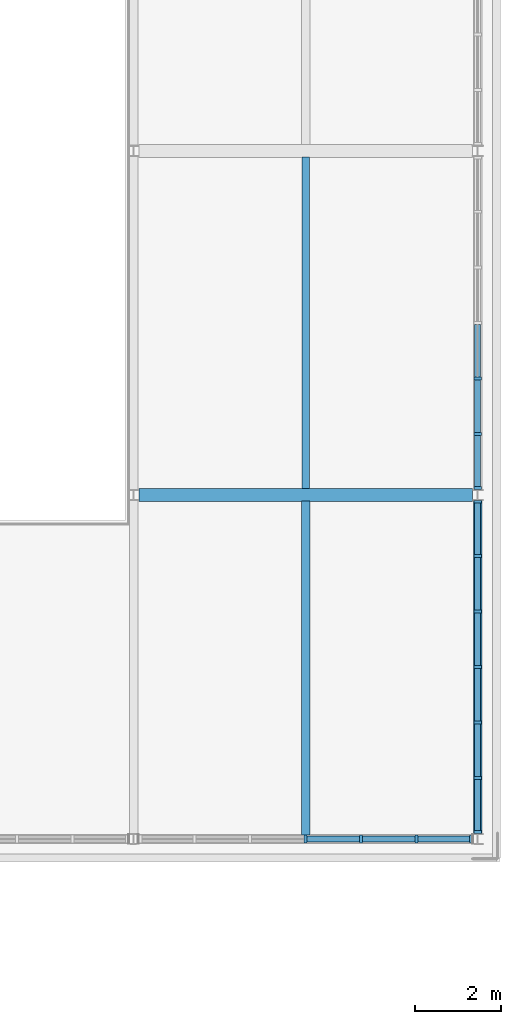
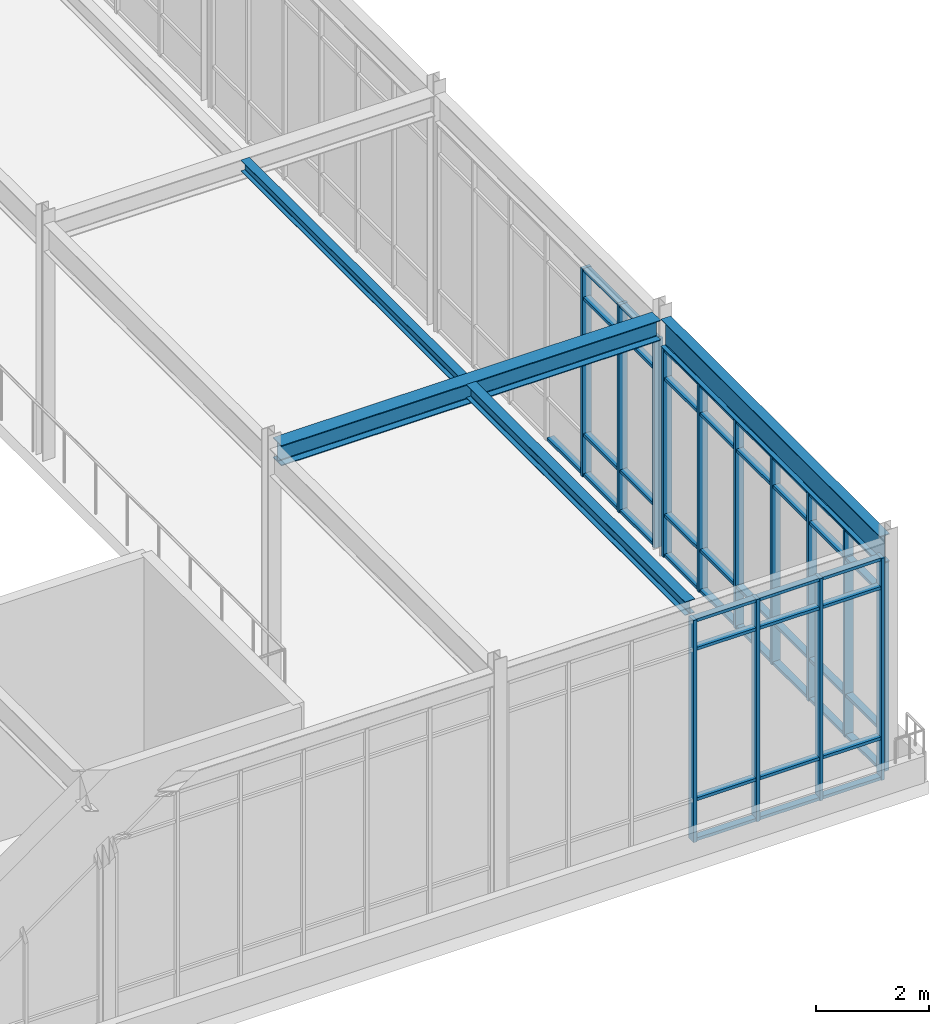
# One storey, part 75 of 184: 59 members, 4 beams, 3 elements without a shape of their own.
"""IFC4 building model written with IfcOpenShell, lengths in metres."""

from ifc_helpers import new_model, si_unit, direction, frame, origin, origin_2d, place, context, subcontext, project, spatial, rectangle, i_section, extrude, material, material_profile, profile_set, type_object, element, aggregate, save


model = new_model("IFC4")

# Units and contexts
model_context = context("Model", 3, precision=1e-05, world=origin(), true_north=direction((0.0, 1.0)))
body_context = subcontext(model_context, "Body", "Model", "MODEL_VIEW")
ifc_project = project(units=[si_unit("LENGTHUNIT", "METRE"), si_unit("AREAUNIT", "SQUARE_METRE"), si_unit("VOLUMEUNIT", "CUBIC_METRE"), si_unit("PLANEANGLEUNIT", "RADIAN"), si_unit("MASSUNIT", "GRAM", prefix="KILO")], contexts=[model_context])

# Site, building, storey
site_placement = place(None, origin())
site = spatial("IfcSite", under=ifc_project, at=site_placement, CompositionType="ELEMENT")
building_placement = place(site_placement, origin())
building = spatial("IfcBuilding", under=site, at=building_placement, Name="Zhaolan Boulevard Law Courts", CompositionType="ELEMENT")
storey_placement = place(building_placement, frame((0.0, 0.0, 5.39990234375)))
storey = spatial("IfcBuildingStorey", under=building, at=storey_placement, Name="L01", CompositionType="ELEMENT", Elevation=5.39990234375)

# Curtain wall, members
ifc_material_1 = material(Name="Thermally broken aluminium and low-E glazing", Category="aluminium")
curtain_wall_type_1 = type_object("IfcCurtainWallType", Name="CURTAIN WALL M12", PredefinedType="USERDEFINED", material=ifc_material_1)
curtain_wall_1_placement = place(storey_placement, origin())
curtain_wall_1 = element("IfcCurtainWall", 1, at=curtain_wall_1_placement, inside=storey, type_object=curtain_wall_type_1, Name="Curtain Wall CW-L01-060", ObjectType="CURTAIN WALL", PredefinedType="USERDEFINED")
ifc_material_2 = material(Name="Fluorocarbon-coated aluminium 6063-T6", Category="aluminium")
ifc_material_profile_1 = material_profile(ifc_material_2, rectangle(XDim=0.179931640625, YDim=0.06494140625, at=origin_2d()), Name="AL65x180")
ifc_profile_set_1 = profile_set([ifc_material_profile_1], Name="Fluorocarbon-coated aluminium 6063-T6")
member_type_1 = type_object("IfcMemberType", Name="CWMULLION 65X180", PredefinedType="MULLION", material=ifc_profile_set_1)
member_1_placement = place(storey_placement, frame((160.0, 6.0, 0.0), z_axis=(0.0, 0.0, 1.0), x_axis=(0.0, 1.0, 0.0)))
member_1 = element("IfcMember", 2, at=member_1_placement, type_object=member_type_1, Name="CW-L01-060 mullion 4", PredefinedType="MULLION", context=body_context, shape_type="SweptSolid", body=[
    extrude(rectangle(XDim=0.179931640625, YDim=0.06494140625, at=origin_2d()), origin(), (0.0, 0.0, 1.0), 4.802978515625),
])
member_2_placement = place(storey_placement, frame((161.291015625, 6.0, 0.0), z_axis=(0.0, 0.0, 1.0), x_axis=(0.0, 1.0, 0.0)))
member_2 = element("IfcMember", 3, at=member_2_placement, type_object=member_type_1, Name="CW-L01-060 mullion 5", PredefinedType="MULLION", context=body_context, shape_type="SweptSolid", body=[
    extrude(rectangle(XDim=0.179931640625, YDim=0.06494140625, at=origin_2d()), origin(), (0.0, 0.0, 1.0), 4.802978515625),
])
member_3_placement = place(storey_placement, frame((162.58203125, 6.0, 0.0), z_axis=(0.0, 0.0, 1.0), x_axis=(0.0, 1.0, 0.0)))
member_3 = element("IfcMember", 4, at=member_3_placement, type_object=member_type_1, Name="CW-L01-060 mullion 6", PredefinedType="MULLION", context=body_context, shape_type="SweptSolid", body=[
    extrude(rectangle(XDim=0.179931640625, YDim=0.06494140625, at=origin_2d()), origin(), (0.0, 0.0, 1.0), 4.802978515625),
])
member_4_placement = place(storey_placement, frame((163.840576171875, 6.0, 0.0), z_axis=(0.0, 0.0, 1.0), x_axis=(0.0, 1.0, 0.0)))
member_4 = element("IfcMember", 5, at=member_4_placement, type_object=member_type_1, Name="CW-L01-060 mullion 7", PredefinedType="MULLION", context=body_context, shape_type="SweptSolid", body=[
    extrude(rectangle(XDim=0.179931640625, YDim=0.06494140625, at=origin_2d()), origin(), (0.0, 0.0, 1.0), 4.802978515625),
])

ifc_material_3 = material(Name="Thermally broken aluminium and low-E glazing", Category="aluminium")
curtain_wall_type_2 = type_object("IfcCurtainWallType", Name="CURTAIN WALL M13", PredefinedType="USERDEFINED", material=ifc_material_3)
curtain_wall_2_placement = place(storey_placement, origin())
curtain_wall_2 = element("IfcCurtainWall", 6, at=curtain_wall_2_placement, inside=storey, type_object=curtain_wall_type_2, Name="Curtain Wall CW-L01-061", ObjectType="CURTAIN WALL", PredefinedType="USERDEFINED")
member_5_placement = place(storey_placement, frame((164.0, 6.159423828125, 0.0), z_axis=(0.0, 0.0, 1.0), x_axis=(-1.0, 0.0, 0.0)))
member_5 = element("IfcMember", 7, at=member_5_placement, type_object=member_type_1, Name="CW-L01-061 mullion 1", PredefinedType="MULLION", context=body_context, shape_type="SweptSolid", body=[
    extrude(rectangle(XDim=0.179931640625, YDim=0.06494140625, at=origin_2d()), origin(), (0.0, 0.0, 1.0), 4.503173828125),
])
member_6_placement = place(storey_placement, frame((164.0, 7.41796875, 0.0), z_axis=(0.0, 0.0, 1.0), x_axis=(-1.0, 0.0, 0.0)))
member_6 = element("IfcMember", 8, at=member_6_placement, type_object=member_type_1, Name="CW-L01-061 mullion 2", PredefinedType="MULLION", context=body_context, shape_type="SweptSolid", body=[
    extrude(rectangle(XDim=0.179931640625, YDim=0.06494140625, at=origin_2d()), origin(), (0.0, 0.0, 1.0), 4.503173828125),
])
member_7_placement = place(storey_placement, frame((164.0, 8.708984375, 0.0), z_axis=(0.0, 0.0, 1.0), x_axis=(-1.0, 0.0, 0.0)))
member_7 = element("IfcMember", 9, at=member_7_placement, type_object=member_type_1, Name="CW-L01-061 mullion 3", PredefinedType="MULLION", context=body_context, shape_type="SweptSolid", body=[
    extrude(rectangle(XDim=0.179931640625, YDim=0.06494140625, at=origin_2d()), origin(), (0.0, 0.0, 1.0), 4.503173828125),
])
member_8_placement = place(storey_placement, frame((164.0, 10.0, 0.0), z_axis=(0.0, 0.0, 1.0), x_axis=(-1.0, 0.0, 0.0)))
member_8 = element("IfcMember", 10, at=member_8_placement, type_object=member_type_1, Name="CW-L01-061 mullion 4", PredefinedType="MULLION", context=body_context, shape_type="SweptSolid", body=[
    extrude(rectangle(XDim=0.179931640625, YDim=0.06494140625, at=origin_2d()), origin(), (0.0, 0.0, 1.0), 4.503173828125),
])
member_9_placement = place(storey_placement, frame((164.0, 11.291015625, 0.0), z_axis=(0.0, 0.0, 1.0), x_axis=(-1.0, 0.0, 0.0)))
member_9 = element("IfcMember", 11, at=member_9_placement, type_object=member_type_1, Name="CW-L01-061 mullion 5", PredefinedType="MULLION", context=body_context, shape_type="SweptSolid", body=[
    extrude(rectangle(XDim=0.179931640625, YDim=0.06494140625, at=origin_2d()), origin(), (0.0, 0.0, 1.0), 4.503173828125),
])
member_10_placement = place(storey_placement, frame((164.0, 12.58203125, 0.0), z_axis=(0.0, 0.0, 1.0), x_axis=(-1.0, 0.0, 0.0)))
member_10 = element("IfcMember", 12, at=member_10_placement, type_object=member_type_1, Name="CW-L01-061 mullion 6", PredefinedType="MULLION", context=body_context, shape_type="SweptSolid", body=[
    extrude(rectangle(XDim=0.179931640625, YDim=0.06494140625, at=origin_2d()), origin(), (0.0, 0.0, 1.0), 4.503173828125),
])
member_11_placement = place(storey_placement, frame((164.0, 13.840576171875, 0.0), z_axis=(0.0, 0.0, 1.0), x_axis=(-1.0, 0.0, 0.0)))
member_11 = element("IfcMember", 13, at=member_11_placement, type_object=member_type_1, Name="CW-L01-061 mullion 7", PredefinedType="MULLION", context=body_context, shape_type="SweptSolid", body=[
    extrude(rectangle(XDim=0.179931640625, YDim=0.06494140625, at=origin_2d()), origin(), (0.0, 0.0, 1.0), 4.503173828125),
])

ifc_material_4 = material(Name="Thermally broken aluminium and low-E glazing", Category="aluminium")
curtain_wall_type_3 = type_object("IfcCurtainWallType", Name="CURTAIN WALL M14", PredefinedType="USERDEFINED", material=ifc_material_4)
curtain_wall_3_placement = place(storey_placement, origin())
curtain_wall_3 = element("IfcCurtainWall", 14, at=curtain_wall_3_placement, inside=storey, type_object=curtain_wall_type_3, Name="Curtain Wall CW-L01-062", ObjectType="CURTAIN WALL", PredefinedType="USERDEFINED")
member_12_placement = place(storey_placement, frame((164.0, 14.159423828125, 0.0), z_axis=(0.0, 0.0, 1.0), x_axis=(-1.0, 0.0, 0.0)))
member_12 = element("IfcMember", 15, at=member_12_placement, type_object=member_type_1, Name="CW-L01-062 mullion 1", PredefinedType="MULLION", context=body_context, shape_type="SweptSolid", body=[
    extrude(rectangle(XDim=0.179931640625, YDim=0.06494140625, at=origin_2d()), origin(), (0.0, 0.0, 1.0), 4.503173828125),
])
member_13_placement = place(storey_placement, frame((164.0, 15.41796875, 0.0), z_axis=(0.0, 0.0, 1.0), x_axis=(-1.0, 0.0, 0.0)))
member_13 = element("IfcMember", 16, at=member_13_placement, type_object=member_type_1, Name="CW-L01-062 mullion 2", PredefinedType="MULLION", context=body_context, shape_type="SweptSolid", body=[
    extrude(rectangle(XDim=0.179931640625, YDim=0.06494140625, at=origin_2d()), origin(), (0.0, 0.0, 1.0), 4.503173828125),
])
member_14_placement = place(storey_placement, frame((164.0, 16.708984375, 0.0), z_axis=(0.0, 0.0, 1.0), x_axis=(-1.0, 0.0, 0.0)))
member_14 = element("IfcMember", 17, at=member_14_placement, type_object=member_type_1, Name="CW-L01-062 mullion 3", PredefinedType="MULLION", context=body_context, shape_type="SweptSolid", body=[
    extrude(rectangle(XDim=0.179931640625, YDim=0.06494140625, at=origin_2d()), origin(), (0.0, 0.0, 1.0), 4.503173828125),
])

# Member
ifc_material_5 = material(Name="Fluorocarbon-coated aluminium 6063-T6", Category="aluminium")
ifc_material_profile_2 = material_profile(ifc_material_5, rectangle(XDim=0.139892578125, YDim=0.06494140625, at=origin_2d()), Name="AL65x140")
ifc_profile_set_2 = profile_set([ifc_material_profile_2], Name="Fluorocarbon-coated aluminium 6063-T6")
member_type_2 = type_object("IfcMemberType", Name="CWTRANSOM 65X140", PredefinedType="USERDEFINED", material=ifc_profile_set_2)
member_15_placement = place(storey_placement, frame((160.032470703125, 6.0, 0.03271484375), z_axis=(1.0, 0.0, 0.0), x_axis=(0.0, 1.0, 0.0)))
member_15 = element("IfcMember", 18, at=member_15_placement, type_object=member_type_2, Name="CW-L01-060 transom 4.1", ObjectType="TRANSOM", PredefinedType="USERDEFINED", context=body_context, shape_type="SweptSolid", body=[
    extrude(rectangle(XDim=0.139892578125, YDim=0.06494140625, at=origin_2d()), origin(), (0.0, 0.0, 1.0), 1.22607421875),
])

member_16_placement = place(storey_placement, frame((160.032470703125, 6.0, 0.900146484375), z_axis=(1.0, 0.0, 0.0), x_axis=(0.0, 1.0, 0.0)))
member_16 = element("IfcMember", 19, at=member_16_placement, type_object=member_type_2, Name="CW-L01-060 transom 4.2", ObjectType="TRANSOM", PredefinedType="USERDEFINED", context=body_context, shape_type="SweptSolid", body=[
    extrude(rectangle(XDim=0.139892578125, YDim=0.06494140625, at=origin_2d()), origin(), (0.0, 0.0, 1.0), 1.22607421875),
])

member_17_placement = place(storey_placement, frame((160.032470703125, 6.0, 4.153076171875), z_axis=(1.0, 0.0, 0.0), x_axis=(0.0, 1.0, 0.0)))
member_17 = element("IfcMember", 20, at=member_17_placement, type_object=member_type_2, Name="CW-L01-060 transom 4.3", ObjectType="TRANSOM", PredefinedType="USERDEFINED", context=body_context, shape_type="SweptSolid", body=[
    extrude(rectangle(XDim=0.139892578125, YDim=0.06494140625, at=origin_2d()), origin(), (0.0, 0.0, 1.0), 1.22607421875),
])

member_18_placement = place(storey_placement, frame((160.032470703125, 6.0, 4.7705078125), z_axis=(1.0, 0.0, 0.0), x_axis=(0.0, 1.0, 0.0)))
member_18 = element("IfcMember", 21, at=member_18_placement, type_object=member_type_2, Name="CW-L01-060 transom 4.4", ObjectType="TRANSOM", PredefinedType="USERDEFINED", context=body_context, shape_type="SweptSolid", body=[
    extrude(rectangle(XDim=0.139892578125, YDim=0.06494140625, at=origin_2d()), origin(), (0.0, 0.0, 1.0), 1.22607421875),
])

member_19_placement = place(storey_placement, frame((161.323486328125, 6.0, 0.03271484375), z_axis=(1.0, 0.0, 0.0), x_axis=(0.0, 1.0, 0.0)))
member_19 = element("IfcMember", 22, at=member_19_placement, type_object=member_type_2, Name="CW-L01-060 transom 5.1", ObjectType="TRANSOM", PredefinedType="USERDEFINED", context=body_context, shape_type="SweptSolid", body=[
    extrude(rectangle(XDim=0.139892578125, YDim=0.06494140625, at=origin_2d()), origin(), (0.0, 0.0, 1.0), 1.22607421875),
])

member_20_placement = place(storey_placement, frame((161.323486328125, 6.0, 0.900146484375), z_axis=(1.0, 0.0, 0.0), x_axis=(0.0, 1.0, 0.0)))
member_20 = element("IfcMember", 23, at=member_20_placement, type_object=member_type_2, Name="CW-L01-060 transom 5.2", ObjectType="TRANSOM", PredefinedType="USERDEFINED", context=body_context, shape_type="SweptSolid", body=[
    extrude(rectangle(XDim=0.139892578125, YDim=0.06494140625, at=origin_2d()), origin(), (0.0, 0.0, 1.0), 1.22607421875),
])

member_21_placement = place(storey_placement, frame((161.323486328125, 6.0, 4.153076171875), z_axis=(1.0, 0.0, 0.0), x_axis=(0.0, 1.0, 0.0)))
member_21 = element("IfcMember", 24, at=member_21_placement, type_object=member_type_2, Name="CW-L01-060 transom 5.3", ObjectType="TRANSOM", PredefinedType="USERDEFINED", context=body_context, shape_type="SweptSolid", body=[
    extrude(rectangle(XDim=0.139892578125, YDim=0.06494140625, at=origin_2d()), origin(), (0.0, 0.0, 1.0), 1.22607421875),
])

member_22_placement = place(storey_placement, frame((161.323486328125, 6.0, 4.7705078125), z_axis=(1.0, 0.0, 0.0), x_axis=(0.0, 1.0, 0.0)))
member_22 = element("IfcMember", 25, at=member_22_placement, type_object=member_type_2, Name="CW-L01-060 transom 5.4", ObjectType="TRANSOM", PredefinedType="USERDEFINED", context=body_context, shape_type="SweptSolid", body=[
    extrude(rectangle(XDim=0.139892578125, YDim=0.06494140625, at=origin_2d()), origin(), (0.0, 0.0, 1.0), 1.22607421875),
])

member_23_placement = place(storey_placement, frame((162.614501953125, 6.0, 0.03271484375), z_axis=(1.0, 0.0, 0.0), x_axis=(0.0, 1.0, 0.0)))
member_23 = element("IfcMember", 26, at=member_23_placement, type_object=member_type_2, Name="CW-L01-060 transom 6.1", ObjectType="TRANSOM", PredefinedType="USERDEFINED", context=body_context, shape_type="SweptSolid", body=[
    extrude(rectangle(XDim=0.139892578125, YDim=0.06494140625, at=origin_2d()), origin(), (0.0, 0.0, 1.0), 1.193603515625),
])

member_24_placement = place(storey_placement, frame((162.614501953125, 6.0, 0.900146484375), z_axis=(1.0, 0.0, 0.0), x_axis=(0.0, 1.0, 0.0)))
member_24 = element("IfcMember", 27, at=member_24_placement, type_object=member_type_2, Name="CW-L01-060 transom 6.2", ObjectType="TRANSOM", PredefinedType="USERDEFINED", context=body_context, shape_type="SweptSolid", body=[
    extrude(rectangle(XDim=0.139892578125, YDim=0.06494140625, at=origin_2d()), origin(), (0.0, 0.0, 1.0), 1.193603515625),
])

member_25_placement = place(storey_placement, frame((162.614501953125, 6.0, 4.153076171875), z_axis=(1.0, 0.0, 0.0), x_axis=(0.0, 1.0, 0.0)))
member_25 = element("IfcMember", 28, at=member_25_placement, type_object=member_type_2, Name="CW-L01-060 transom 6.3", ObjectType="TRANSOM", PredefinedType="USERDEFINED", context=body_context, shape_type="SweptSolid", body=[
    extrude(rectangle(XDim=0.139892578125, YDim=0.06494140625, at=origin_2d()), origin(), (0.0, 0.0, 1.0), 1.193603515625),
])

member_26_placement = place(storey_placement, frame((162.614501953125, 6.0, 4.7705078125), z_axis=(1.0, 0.0, 0.0), x_axis=(0.0, 1.0, 0.0)))
member_26 = element("IfcMember", 29, at=member_26_placement, type_object=member_type_2, Name="CW-L01-060 transom 6.4", ObjectType="TRANSOM", PredefinedType="USERDEFINED", context=body_context, shape_type="SweptSolid", body=[
    extrude(rectangle(XDim=0.139892578125, YDim=0.06494140625, at=origin_2d()), origin(), (0.0, 0.0, 1.0), 1.193603515625),
])

aggregate(curtain_wall_1, [member_1, member_2, member_3, member_4, member_15, member_16, member_17, member_18, member_19, member_20, member_21, member_22, member_23, member_24, member_25, member_26])

member_27_placement = place(storey_placement, frame((164.0, 6.19189453125, 0.03271484375), z_axis=(0.0, 1.0, 0.0), x_axis=(-1.0, 0.0, 0.0)))
member_27 = element("IfcMember", 30, at=member_27_placement, type_object=member_type_2, Name="CW-L01-061 transom 1.1", ObjectType="TRANSOM", PredefinedType="USERDEFINED", context=body_context, shape_type="SweptSolid", body=[
    extrude(rectangle(XDim=0.139892578125, YDim=0.06494140625, at=origin_2d()), origin(), (0.0, 0.0, 1.0), 1.193603515625),
])

member_28_placement = place(storey_placement, frame((164.0, 6.19189453125, 0.900146484375), z_axis=(0.0, 1.0, 0.0), x_axis=(-1.0, 0.0, 0.0)))
member_28 = element("IfcMember", 31, at=member_28_placement, type_object=member_type_2, Name="CW-L01-061 transom 1.2", ObjectType="TRANSOM", PredefinedType="USERDEFINED", context=body_context, shape_type="SweptSolid", body=[
    extrude(rectangle(XDim=0.139892578125, YDim=0.06494140625, at=origin_2d()), origin(), (0.0, 0.0, 1.0), 1.193603515625),
])

member_29_placement = place(storey_placement, frame((164.0, 6.19189453125, 3.85302734375), z_axis=(0.0, 1.0, 0.0), x_axis=(-1.0, 0.0, 0.0)))
member_29 = element("IfcMember", 32, at=member_29_placement, type_object=member_type_2, Name="CW-L01-061 transom 1.3", ObjectType="TRANSOM", PredefinedType="USERDEFINED", context=body_context, shape_type="SweptSolid", body=[
    extrude(rectangle(XDim=0.139892578125, YDim=0.06494140625, at=origin_2d()), origin(), (0.0, 0.0, 1.0), 1.193603515625),
])

member_30_placement = place(storey_placement, frame((164.0, 6.19189453125, 4.470703125), z_axis=(0.0, 1.0, 0.0), x_axis=(-1.0, 0.0, 0.0)))
member_30 = element("IfcMember", 33, at=member_30_placement, type_object=member_type_2, Name="CW-L01-061 transom 1.4", ObjectType="TRANSOM", PredefinedType="USERDEFINED", context=body_context, shape_type="SweptSolid", body=[
    extrude(rectangle(XDim=0.139892578125, YDim=0.06494140625, at=origin_2d()), origin(), (0.0, 0.0, 1.0), 1.193603515625),
])

member_31_placement = place(storey_placement, frame((164.0, 7.450439453125, 0.03271484375), z_axis=(0.0, 1.0, 0.0), x_axis=(-1.0, 0.0, 0.0)))
member_31 = element("IfcMember", 34, at=member_31_placement, type_object=member_type_2, Name="CW-L01-061 transom 2.1", ObjectType="TRANSOM", PredefinedType="USERDEFINED", context=body_context, shape_type="SweptSolid", body=[
    extrude(rectangle(XDim=0.139892578125, YDim=0.06494140625, at=origin_2d()), origin(), (0.0, 0.0, 1.0), 1.22607421875),
])

member_32_placement = place(storey_placement, frame((164.0, 7.450439453125, 0.900146484375), z_axis=(0.0, 1.0, 0.0), x_axis=(-1.0, 0.0, 0.0)))
member_32 = element("IfcMember", 35, at=member_32_placement, type_object=member_type_2, Name="CW-L01-061 transom 2.2", ObjectType="TRANSOM", PredefinedType="USERDEFINED", context=body_context, shape_type="SweptSolid", body=[
    extrude(rectangle(XDim=0.139892578125, YDim=0.06494140625, at=origin_2d()), origin(), (0.0, 0.0, 1.0), 1.22607421875),
])

member_33_placement = place(storey_placement, frame((164.0, 7.450439453125, 3.85302734375), z_axis=(0.0, 1.0, 0.0), x_axis=(-1.0, 0.0, 0.0)))
member_33 = element("IfcMember", 36, at=member_33_placement, type_object=member_type_2, Name="CW-L01-061 transom 2.3", ObjectType="TRANSOM", PredefinedType="USERDEFINED", context=body_context, shape_type="SweptSolid", body=[
    extrude(rectangle(XDim=0.139892578125, YDim=0.06494140625, at=origin_2d()), origin(), (0.0, 0.0, 1.0), 1.22607421875),
])

member_34_placement = place(storey_placement, frame((164.0, 7.450439453125, 4.470703125), z_axis=(0.0, 1.0, 0.0), x_axis=(-1.0, 0.0, 0.0)))
member_34 = element("IfcMember", 37, at=member_34_placement, type_object=member_type_2, Name="CW-L01-061 transom 2.4", ObjectType="TRANSOM", PredefinedType="USERDEFINED", context=body_context, shape_type="SweptSolid", body=[
    extrude(rectangle(XDim=0.139892578125, YDim=0.06494140625, at=origin_2d()), origin(), (0.0, 0.0, 1.0), 1.22607421875),
])

member_35_placement = place(storey_placement, frame((164.0, 8.741455078125, 0.03271484375), z_axis=(0.0, 1.0, 0.0), x_axis=(-1.0, 0.0, 0.0)))
member_35 = element("IfcMember", 38, at=member_35_placement, type_object=member_type_2, Name="CW-L01-061 transom 3.1", ObjectType="TRANSOM", PredefinedType="USERDEFINED", context=body_context, shape_type="SweptSolid", body=[
    extrude(rectangle(XDim=0.139892578125, YDim=0.06494140625, at=origin_2d()), origin(), (0.0, 0.0, 1.0), 1.22607421875),
])

member_36_placement = place(storey_placement, frame((164.0, 8.741455078125, 0.900146484375), z_axis=(0.0, 1.0, 0.0), x_axis=(-1.0, 0.0, 0.0)))
member_36 = element("IfcMember", 39, at=member_36_placement, type_object=member_type_2, Name="CW-L01-061 transom 3.2", ObjectType="TRANSOM", PredefinedType="USERDEFINED", context=body_context, shape_type="SweptSolid", body=[
    extrude(rectangle(XDim=0.139892578125, YDim=0.06494140625, at=origin_2d()), origin(), (0.0, 0.0, 1.0), 1.22607421875),
])

member_37_placement = place(storey_placement, frame((164.0, 8.741455078125, 3.85302734375), z_axis=(0.0, 1.0, 0.0), x_axis=(-1.0, 0.0, 0.0)))
member_37 = element("IfcMember", 40, at=member_37_placement, type_object=member_type_2, Name="CW-L01-061 transom 3.3", ObjectType="TRANSOM", PredefinedType="USERDEFINED", context=body_context, shape_type="SweptSolid", body=[
    extrude(rectangle(XDim=0.139892578125, YDim=0.06494140625, at=origin_2d()), origin(), (0.0, 0.0, 1.0), 1.22607421875),
])

member_38_placement = place(storey_placement, frame((164.0, 8.741455078125, 4.470703125), z_axis=(0.0, 1.0, 0.0), x_axis=(-1.0, 0.0, 0.0)))
member_38 = element("IfcMember", 41, at=member_38_placement, type_object=member_type_2, Name="CW-L01-061 transom 3.4", ObjectType="TRANSOM", PredefinedType="USERDEFINED", context=body_context, shape_type="SweptSolid", body=[
    extrude(rectangle(XDim=0.139892578125, YDim=0.06494140625, at=origin_2d()), origin(), (0.0, 0.0, 1.0), 1.22607421875),
])

member_39_placement = place(storey_placement, frame((164.0, 10.032470703125, 0.03271484375), z_axis=(0.0, 1.0, 0.0), x_axis=(-1.0, 0.0, 0.0)))
member_39 = element("IfcMember", 42, at=member_39_placement, type_object=member_type_2, Name="CW-L01-061 transom 4.1", ObjectType="TRANSOM", PredefinedType="USERDEFINED", context=body_context, shape_type="SweptSolid", body=[
    extrude(rectangle(XDim=0.139892578125, YDim=0.06494140625, at=origin_2d()), origin(), (0.0, 0.0, 1.0), 1.22607421875),
])

member_40_placement = place(storey_placement, frame((164.0, 10.032470703125, 0.900146484375), z_axis=(0.0, 1.0, 0.0), x_axis=(-1.0, 0.0, 0.0)))
member_40 = element("IfcMember", 43, at=member_40_placement, type_object=member_type_2, Name="CW-L01-061 transom 4.2", ObjectType="TRANSOM", PredefinedType="USERDEFINED", context=body_context, shape_type="SweptSolid", body=[
    extrude(rectangle(XDim=0.139892578125, YDim=0.06494140625, at=origin_2d()), origin(), (0.0, 0.0, 1.0), 1.22607421875),
])

member_41_placement = place(storey_placement, frame((164.0, 10.032470703125, 3.85302734375), z_axis=(0.0, 1.0, 0.0), x_axis=(-1.0, 0.0, 0.0)))
member_41 = element("IfcMember", 44, at=member_41_placement, type_object=member_type_2, Name="CW-L01-061 transom 4.3", ObjectType="TRANSOM", PredefinedType="USERDEFINED", context=body_context, shape_type="SweptSolid", body=[
    extrude(rectangle(XDim=0.139892578125, YDim=0.06494140625, at=origin_2d()), origin(), (0.0, 0.0, 1.0), 1.22607421875),
])

member_42_placement = place(storey_placement, frame((164.0, 10.032470703125, 4.470703125), z_axis=(0.0, 1.0, 0.0), x_axis=(-1.0, 0.0, 0.0)))
member_42 = element("IfcMember", 45, at=member_42_placement, type_object=member_type_2, Name="CW-L01-061 transom 4.4", ObjectType="TRANSOM", PredefinedType="USERDEFINED", context=body_context, shape_type="SweptSolid", body=[
    extrude(rectangle(XDim=0.139892578125, YDim=0.06494140625, at=origin_2d()), origin(), (0.0, 0.0, 1.0), 1.22607421875),
])

member_43_placement = place(storey_placement, frame((164.0, 11.323486328125, 0.03271484375), z_axis=(0.0, 1.0, 0.0), x_axis=(-1.0, 0.0, 0.0)))
member_43 = element("IfcMember", 46, at=member_43_placement, type_object=member_type_2, Name="CW-L01-061 transom 5.1", ObjectType="TRANSOM", PredefinedType="USERDEFINED", context=body_context, shape_type="SweptSolid", body=[
    extrude(rectangle(XDim=0.139892578125, YDim=0.06494140625, at=origin_2d()), origin(), (0.0, 0.0, 1.0), 1.22607421875),
])

member_44_placement = place(storey_placement, frame((164.0, 11.323486328125, 0.900146484375), z_axis=(0.0, 1.0, 0.0), x_axis=(-1.0, 0.0, 0.0)))
member_44 = element("IfcMember", 47, at=member_44_placement, type_object=member_type_2, Name="CW-L01-061 transom 5.2", ObjectType="TRANSOM", PredefinedType="USERDEFINED", context=body_context, shape_type="SweptSolid", body=[
    extrude(rectangle(XDim=0.139892578125, YDim=0.06494140625, at=origin_2d()), origin(), (0.0, 0.0, 1.0), 1.22607421875),
])

member_45_placement = place(storey_placement, frame((164.0, 11.323486328125, 3.85302734375), z_axis=(0.0, 1.0, 0.0), x_axis=(-1.0, 0.0, 0.0)))
member_45 = element("IfcMember", 48, at=member_45_placement, type_object=member_type_2, Name="CW-L01-061 transom 5.3", ObjectType="TRANSOM", PredefinedType="USERDEFINED", context=body_context, shape_type="SweptSolid", body=[
    extrude(rectangle(XDim=0.139892578125, YDim=0.06494140625, at=origin_2d()), origin(), (0.0, 0.0, 1.0), 1.22607421875),
])

member_46_placement = place(storey_placement, frame((164.0, 11.323486328125, 4.470703125), z_axis=(0.0, 1.0, 0.0), x_axis=(-1.0, 0.0, 0.0)))
member_46 = element("IfcMember", 49, at=member_46_placement, type_object=member_type_2, Name="CW-L01-061 transom 5.4", ObjectType="TRANSOM", PredefinedType="USERDEFINED", context=body_context, shape_type="SweptSolid", body=[
    extrude(rectangle(XDim=0.139892578125, YDim=0.06494140625, at=origin_2d()), origin(), (0.0, 0.0, 1.0), 1.22607421875),
])

member_47_placement = place(storey_placement, frame((164.0, 12.614501953125, 0.03271484375), z_axis=(0.0, 1.0, 0.0), x_axis=(-1.0, 0.0, 0.0)))
member_47 = element("IfcMember", 50, at=member_47_placement, type_object=member_type_2, Name="CW-L01-061 transom 6.1", ObjectType="TRANSOM", PredefinedType="USERDEFINED", context=body_context, shape_type="SweptSolid", body=[
    extrude(rectangle(XDim=0.139892578125, YDim=0.06494140625, at=origin_2d()), origin(), (0.0, 0.0, 1.0), 1.193603515625),
])

member_48_placement = place(storey_placement, frame((164.0, 12.614501953125, 0.900146484375), z_axis=(0.0, 1.0, 0.0), x_axis=(-1.0, 0.0, 0.0)))
member_48 = element("IfcMember", 51, at=member_48_placement, type_object=member_type_2, Name="CW-L01-061 transom 6.2", ObjectType="TRANSOM", PredefinedType="USERDEFINED", context=body_context, shape_type="SweptSolid", body=[
    extrude(rectangle(XDim=0.139892578125, YDim=0.06494140625, at=origin_2d()), origin(), (0.0, 0.0, 1.0), 1.193603515625),
])

member_49_placement = place(storey_placement, frame((164.0, 12.614501953125, 3.85302734375), z_axis=(0.0, 1.0, 0.0), x_axis=(-1.0, 0.0, 0.0)))
member_49 = element("IfcMember", 52, at=member_49_placement, type_object=member_type_2, Name="CW-L01-061 transom 6.3", ObjectType="TRANSOM", PredefinedType="USERDEFINED", context=body_context, shape_type="SweptSolid", body=[
    extrude(rectangle(XDim=0.139892578125, YDim=0.06494140625, at=origin_2d()), origin(), (0.0, 0.0, 1.0), 1.193603515625),
])

member_50_placement = place(storey_placement, frame((164.0, 12.614501953125, 4.470703125), z_axis=(0.0, 1.0, 0.0), x_axis=(-1.0, 0.0, 0.0)))
member_50 = element("IfcMember", 53, at=member_50_placement, type_object=member_type_2, Name="CW-L01-061 transom 6.4", ObjectType="TRANSOM", PredefinedType="USERDEFINED", context=body_context, shape_type="SweptSolid", body=[
    extrude(rectangle(XDim=0.139892578125, YDim=0.06494140625, at=origin_2d()), origin(), (0.0, 0.0, 1.0), 1.193603515625),
])

aggregate(curtain_wall_2, [member_5, member_6, member_7, member_8, member_9, member_10, member_11, member_27, member_28, member_29, member_30, member_31, member_32, member_33, member_34, member_35, member_36, member_37, member_38, member_39, member_40, member_41, member_42, member_43, member_44, member_45, member_46, member_47, member_48, member_49, member_50])

member_51_placement = place(storey_placement, frame((164.0, 14.19189453125, 0.03271484375), z_axis=(0.0, 1.0, 0.0), x_axis=(-1.0, 0.0, 0.0)))
member_51 = element("IfcMember", 54, at=member_51_placement, type_object=member_type_2, Name="CW-L01-062 transom 1.1", ObjectType="TRANSOM", PredefinedType="USERDEFINED", context=body_context, shape_type="SweptSolid", body=[
    extrude(rectangle(XDim=0.139892578125, YDim=0.06494140625, at=origin_2d()), origin(), (0.0, 0.0, 1.0), 1.193603515625),
])

member_52_placement = place(storey_placement, frame((164.0, 14.19189453125, 0.900146484375), z_axis=(0.0, 1.0, 0.0), x_axis=(-1.0, 0.0, 0.0)))
member_52 = element("IfcMember", 55, at=member_52_placement, type_object=member_type_2, Name="CW-L01-062 transom 1.2", ObjectType="TRANSOM", PredefinedType="USERDEFINED", context=body_context, shape_type="SweptSolid", body=[
    extrude(rectangle(XDim=0.139892578125, YDim=0.06494140625, at=origin_2d()), origin(), (0.0, 0.0, 1.0), 1.193603515625),
])

member_53_placement = place(storey_placement, frame((164.0, 14.19189453125, 3.85302734375), z_axis=(0.0, 1.0, 0.0), x_axis=(-1.0, 0.0, 0.0)))
member_53 = element("IfcMember", 56, at=member_53_placement, type_object=member_type_2, Name="CW-L01-062 transom 1.3", ObjectType="TRANSOM", PredefinedType="USERDEFINED", context=body_context, shape_type="SweptSolid", body=[
    extrude(rectangle(XDim=0.139892578125, YDim=0.06494140625, at=origin_2d()), origin(), (0.0, 0.0, 1.0), 1.193603515625),
])

member_54_placement = place(storey_placement, frame((164.0, 14.19189453125, 4.470703125), z_axis=(0.0, 1.0, 0.0), x_axis=(-1.0, 0.0, 0.0)))
member_54 = element("IfcMember", 57, at=member_54_placement, type_object=member_type_2, Name="CW-L01-062 transom 1.4", ObjectType="TRANSOM", PredefinedType="USERDEFINED", context=body_context, shape_type="SweptSolid", body=[
    extrude(rectangle(XDim=0.139892578125, YDim=0.06494140625, at=origin_2d()), origin(), (0.0, 0.0, 1.0), 1.193603515625),
])

member_55_placement = place(storey_placement, frame((164.0, 15.450439453125, 0.03271484375), z_axis=(0.0, 1.0, 0.0), x_axis=(-1.0, 0.0, 0.0)))
member_55 = element("IfcMember", 58, at=member_55_placement, type_object=member_type_2, Name="CW-L01-062 transom 2.1", ObjectType="TRANSOM", PredefinedType="USERDEFINED", context=body_context, shape_type="SweptSolid", body=[
    extrude(rectangle(XDim=0.139892578125, YDim=0.06494140625, at=origin_2d()), origin(), (0.0, 0.0, 1.0), 1.22607421875),
])

member_56_placement = place(storey_placement, frame((164.0, 15.450439453125, 0.900146484375), z_axis=(0.0, 1.0, 0.0), x_axis=(-1.0, 0.0, 0.0)))
member_56 = element("IfcMember", 59, at=member_56_placement, type_object=member_type_2, Name="CW-L01-062 transom 2.2", ObjectType="TRANSOM", PredefinedType="USERDEFINED", context=body_context, shape_type="SweptSolid", body=[
    extrude(rectangle(XDim=0.139892578125, YDim=0.06494140625, at=origin_2d()), origin(), (0.0, 0.0, 1.0), 1.22607421875),
])

member_57_placement = place(storey_placement, frame((164.0, 15.450439453125, 3.85302734375), z_axis=(0.0, 1.0, 0.0), x_axis=(-1.0, 0.0, 0.0)))
member_57 = element("IfcMember", 60, at=member_57_placement, type_object=member_type_2, Name="CW-L01-062 transom 2.3", ObjectType="TRANSOM", PredefinedType="USERDEFINED", context=body_context, shape_type="SweptSolid", body=[
    extrude(rectangle(XDim=0.139892578125, YDim=0.06494140625, at=origin_2d()), origin(), (0.0, 0.0, 1.0), 1.22607421875),
])

member_58_placement = place(storey_placement, frame((164.0, 15.450439453125, 4.470703125), z_axis=(0.0, 1.0, 0.0), x_axis=(-1.0, 0.0, 0.0)))
member_58 = element("IfcMember", 61, at=member_58_placement, type_object=member_type_2, Name="CW-L01-062 transom 2.4", ObjectType="TRANSOM", PredefinedType="USERDEFINED", context=body_context, shape_type="SweptSolid", body=[
    extrude(rectangle(XDim=0.139892578125, YDim=0.06494140625, at=origin_2d()), origin(), (0.0, 0.0, 1.0), 1.22607421875),
])

member_59_placement = place(storey_placement, frame((164.0, 16.741455078125, 0.03271484375), z_axis=(0.0, 1.0, 0.0), x_axis=(-1.0, 0.0, 0.0)))
member_59 = element("IfcMember", 62, at=member_59_placement, type_object=member_type_2, Name="CW-L01-062 transom 3.1", ObjectType="TRANSOM", PredefinedType="USERDEFINED", context=body_context, shape_type="SweptSolid", body=[
    extrude(rectangle(XDim=0.139892578125, YDim=0.06494140625, at=origin_2d()), origin(), (0.0, 0.0, 1.0), 1.22607421875),
])

aggregate(curtain_wall_3, [member_12, member_13, member_14, member_51, member_52, member_53, member_54, member_55, member_56, member_57, member_58, member_59])

# Beams
ifc_material_6 = material(Name="Structural steel Q355B", Category="steel")
ifc_material_profile_3 = material_profile(ifc_material_6, i_section(OverallWidth=0.300048828125, OverallDepth=0.43994140625, WebThickness=0.010986328125, FlangeThickness=0.01806640625, FilletRadius=0.02001953125, at=origin_2d()), Name="HM440x300")
ifc_profile_set_3 = profile_set([ifc_material_profile_3], Name="Structural steel Q355B")
beam_type_1 = type_object("IfcBeamType", Name="GIRDER HM440", PredefinedType="BEAM", material=ifc_profile_set_3)
beam_1_placement = place(storey_placement, frame((156.12109375, 14.0, 4.898193359375), z_axis=(1.0, 0.0, 0.0), x_axis=(0.0, 1.0, 0.0)))
element("IfcBeam", 63, at=beam_1_placement, inside=storey, type_object=beam_type_1, Name="Beam BX-L02-20-21-C", PredefinedType="BEAM", context=body_context, shape_type="SweptSolid", body=[
    extrude(i_section(OverallWidth=0.300048828125, OverallDepth=0.43994140625, WebThickness=0.010986328125, FlangeThickness=0.01806640625, FilletRadius=0.02001953125, at=origin_2d()), origin(), (0.0, 0.0, 1.0), 7.7578125),
])
ifc_material_7 = material(Name="Structural steel Q355B", Category="steel")
ifc_material_profile_4 = material_profile(ifc_material_7, i_section(OverallWidth=0.199951171875, OverallDepth=0.60009765625, WebThickness=0.010986328125, FlangeThickness=0.01708984375, FilletRadius=0.02001953125, at=origin_2d()), Name="HN600x200")
ifc_profile_set_4 = profile_set([ifc_material_profile_4], Name="Structural steel Q355B")
beam_type_2 = type_object("IfcBeamType", Name="GIRDER HN600", PredefinedType="BEAM", material=ifc_profile_set_4)
beam_2_placement = place(storey_placement, frame((164.0, 6.12109375, 4.818115234375), z_axis=(0.0, 1.0, 0.0), x_axis=(-1.0, 0.0, 0.0)))
element("IfcBeam", 64, at=beam_2_placement, inside=storey, type_object=beam_type_2, Name="Beam BY-L02-21-B-C", PredefinedType="BEAM", context=body_context, shape_type="SweptSolid", body=[
    extrude(i_section(OverallWidth=0.199951171875, OverallDepth=0.60009765625, WebThickness=0.010986328125, FlangeThickness=0.01708984375, FilletRadius=0.02001953125, at=origin_2d()), origin(), (0.0, 0.0, 1.0), 7.7578125),
])
ifc_material_8 = material(Name="Structural steel Q355B", Category="steel")
ifc_material_profile_5 = material_profile(ifc_material_8, i_section(OverallWidth=0.175048828125, OverallDepth=0.243896484375, WebThickness=0.007080078125, FlangeThickness=0.010986328125, FilletRadius=0.012939453125, at=origin_2d()), Name="HM244x175")
ifc_profile_set_5 = profile_set([ifc_material_profile_5], Name="Structural steel Q355B")
beam_type_3 = type_object("IfcBeamType", Name="JOIST HM244", PredefinedType="JOIST", material=ifc_profile_set_5)
beam_3_placement = place(storey_placement, frame((160.0, 14.14599609375, 4.99609375), z_axis=(0.0, 1.0, 0.0), x_axis=(-1.0, 0.0, 0.0)))
element("IfcBeam", 65, at=beam_3_placement, inside=storey, type_object=beam_type_3, Name="Composite Joist J-L02-20C", PredefinedType="JOIST", context=body_context, shape_type="SweptSolid", body=[
    extrude(i_section(OverallWidth=0.175048828125, OverallDepth=0.243896484375, WebThickness=0.007080078125, FlangeThickness=0.010986328125, FilletRadius=0.012939453125, at=origin_2d()), origin(), (0.0, 0.0, 1.0), 7.7080078125),
])
ifc_material_9 = material(Name="Structural steel Q355B", Category="steel")
ifc_material_profile_6 = material_profile(ifc_material_9, i_section(OverallWidth=0.199951171875, OverallDepth=0.2939453125, WebThickness=0.008056640625, FlangeThickness=0.011962890625, FilletRadius=0.01611328125, at=origin_2d()), Name="HM294x200")
ifc_profile_set_6 = profile_set([ifc_material_profile_6], Name="Structural steel Q355B")
beam_type_4 = type_object("IfcBeamType", Name="JOIST HM294", PredefinedType="JOIST", material=ifc_profile_set_6)
beam_4_placement = place(storey_placement, frame((160.0, 6.095947265625, 4.97119140625), z_axis=(0.0, 1.0, 0.0), x_axis=(-1.0, 0.0, 0.0)))
element("IfcBeam", 66, at=beam_4_placement, inside=storey, type_object=beam_type_4, Name="Composite Joist J-L02-20B", PredefinedType="JOIST", context=body_context, shape_type="SweptSolid", body=[
    extrude(i_section(OverallWidth=0.199951171875, OverallDepth=0.2939453125, WebThickness=0.008056640625, FlangeThickness=0.011962890625, FilletRadius=0.01611328125, at=origin_2d()), origin(), (0.0, 0.0, 1.0), 7.758056640625),
])

save(model, "model.ifc")
